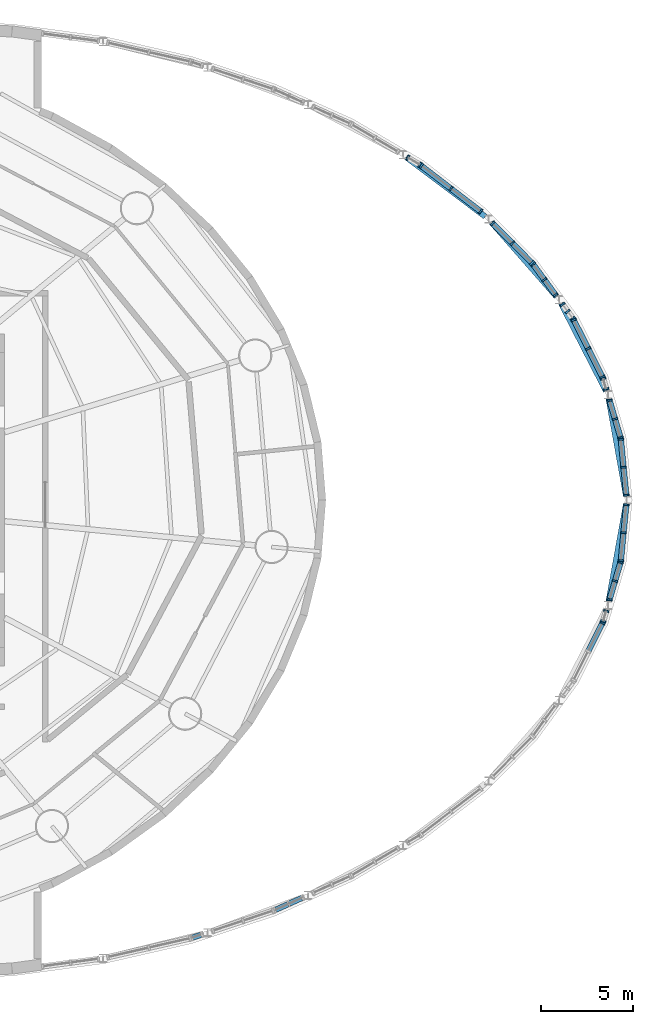
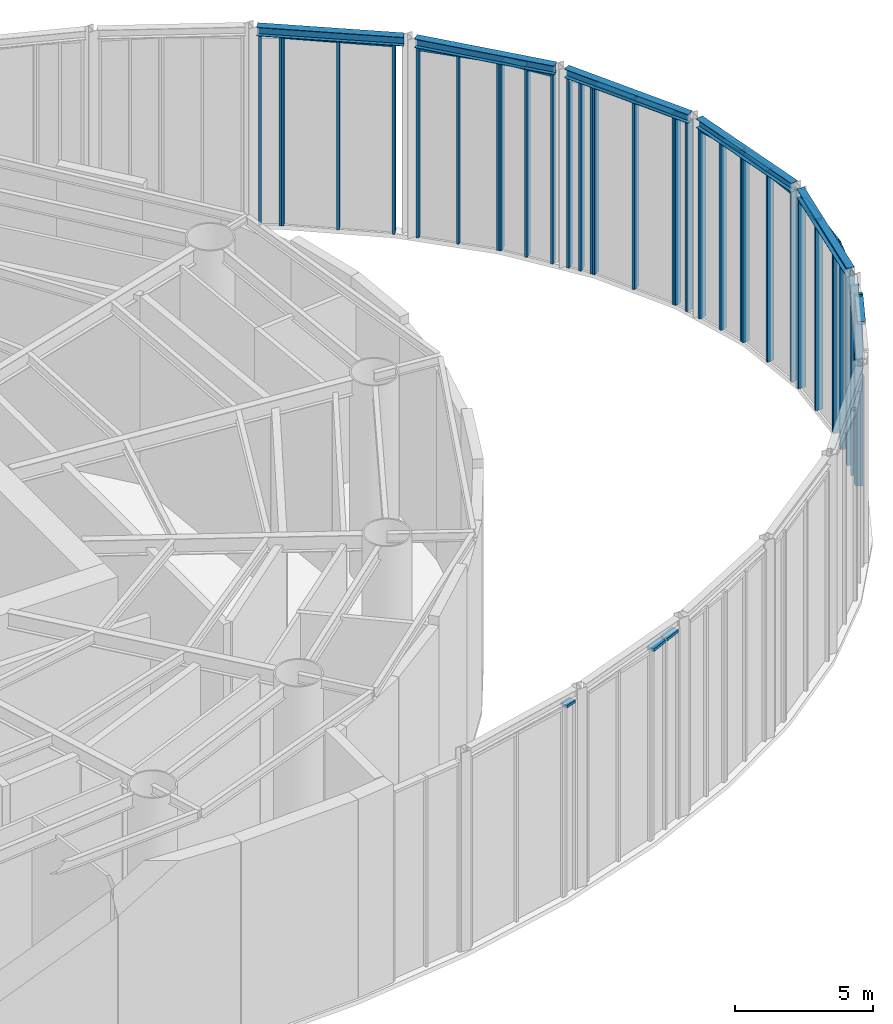
# One storey, part 8 of 19: 54 members, 5 beams, 15 elements without a shape of their own.
"""IFC4 building model written with IfcOpenShell, lengths in metres."""

from ifc_helpers import new_model, si_unit, direction, frame, origin, origin_2d, place, context, subcontext, project, spatial, rectangle, i_section, extrude, material, material_profile, profile_set, type_object, element, aggregate, save


model = new_model("IFC4")

# Units and contexts
model_context = context("Model", 3, precision=1e-05, world=origin(), true_north=direction((0.0, 1.0)))
body_context = subcontext(model_context, "Body", "Model", "MODEL_VIEW")
ifc_project = project(units=[si_unit("LENGTHUNIT", "METRE"), si_unit("AREAUNIT", "SQUARE_METRE"), si_unit("VOLUMEUNIT", "CUBIC_METRE"), si_unit("PLANEANGLEUNIT", "RADIAN"), si_unit("MASSUNIT", "GRAM", prefix="KILO")], contexts=[model_context])

# Site, building, storey
site_placement = place(None, origin())
site = spatial("IfcSite", under=ifc_project, at=site_placement, CompositionType="ELEMENT")
building_placement = place(site_placement, origin())
building = spatial("IfcBuilding", under=site, at=building_placement, Name="Vermilion Reach Broadcast Tower", CompositionType="ELEMENT")
storey_placement = place(building_placement, frame((0.0, 0.0, 8.0)))
storey = spatial("IfcBuildingStorey", under=building, at=storey_placement, Name="L01", CompositionType="ELEMENT", Elevation=8.0)

# Curtain wall, member
ifc_material_1 = material(Name="Low-e laminated clear glass in aluminium frame", Category="aluminium")
curtain_wall_type = type_object("IfcCurtainWallType", Name="Atrium outer wall curtain wall", PredefinedType="NOTDEFINED", material=ifc_material_1)
placement = place(storey_placement, origin())
curtain_wall_1 = element("IfcCurtainWall", 1, at=placement, inside=storey, type_object=curtain_wall_type, Name="Atrium wall L01 09", PredefinedType="NOTDEFINED")
ifc_material_2 = material(Name="Anodised aluminium", Category="aluminium")
ifc_material_profile_1 = material_profile(ifc_material_2, rectangle(XDim=0.300048828125, YDim=0.10009765625, at=origin_2d()), Name="Atrium outer wall mullion 100 x 300")
ifc_profile_set_1 = profile_set([ifc_material_profile_1], Name="Anodised aluminium")
member_type_1 = type_object("IfcMemberType", Name="Atrium outer wall mullion 100 x 300", PredefinedType="MULLION", material=ifc_profile_set_1)
member_1_placement = place(storey_placement, frame((38.384033203125, -6.6630859375, 0.0), z_axis=(0.0, 0.0, 1.0), x_axis=(-0.892992378986, 0.450071784356, 0.0)))
member_1 = element("IfcMember", 2, at=member_1_placement, type_object=member_type_1, Name="Atrium wall mullion L01 09.3", PredefinedType="MULLION", context=body_context, shape_type="SweptSolid", body=[
    extrude(rectangle(XDim=0.300048828125, YDim=0.10009765625, at=origin_2d()), origin(), (0.0, 0.0, 1.0), 8.409912109375),
])

# Curtain wall, members
curtain_wall_2 = element("IfcCurtainWall", 3, at=placement, inside=storey, type_object=curtain_wall_type, Name="Atrium wall L01 10-1", PredefinedType="NOTDEFINED")
member_2_placement = place(storey_placement, frame((38.420654296875, -6.570556640625, 0.0), z_axis=(0.0, 0.0, 1.0), x_axis=(-0.959047559317, 0.283245086397, 0.0)))
member_2 = element("IfcMember", 4, at=member_2_placement, type_object=member_type_1, Name="Atrium wall mullion L01 10-1.1", PredefinedType="MULLION", context=body_context, shape_type="SweptSolid", body=[
    extrude(rectangle(XDim=0.300048828125, YDim=0.10009765625, at=origin_2d()), origin(), (0.0, 0.0, 1.0), 8.409912109375),
])
member_3_placement = place(storey_placement, frame((38.58544921875, -6.01220703125, 0.0), z_axis=(0.0, 0.0, 1.0), x_axis=(-0.959047559317, 0.283245086397, 0.0)))
member_3 = element("IfcMember", 5, at=member_3_placement, type_object=member_type_1, Name="Atrium wall mullion L01 10-1.2", PredefinedType="MULLION", context=body_context, shape_type="SweptSolid", body=[
    extrude(rectangle(XDim=0.300048828125, YDim=0.10009765625, at=origin_2d()), origin(), (0.0, 0.0, 1.0), 8.409912109375),
])
aggregate(curtain_wall_2, [member_2, member_3])

curtain_wall_3 = element("IfcCurtainWall", 6, at=placement, inside=storey, type_object=curtain_wall_type, Name="Atrium wall L01 10-2", PredefinedType="NOTDEFINED")
member_4_placement = place(storey_placement, frame((38.76904296875, -5.390869140625, 0.0), z_axis=(0.0, 0.0, 1.0), x_axis=(-0.959047559317, 0.283245086397, 0.0)))
member_4 = element("IfcMember", 7, at=member_4_placement, type_object=member_type_1, Name="Atrium wall mullion L01 10-2.1", PredefinedType="MULLION", context=body_context, shape_type="SweptSolid", body=[
    extrude(rectangle(XDim=0.300048828125, YDim=0.10009765625, at=origin_2d()), origin(), (0.0, 0.0, 1.0), 8.409912109375),
])
member_5_placement = place(storey_placement, frame((39.0654296875, -4.387451171875, 0.0), z_axis=(0.0, 0.0, 1.0), x_axis=(-0.959047559317, 0.283245086397, 0.0)))
member_5 = element("IfcMember", 8, at=member_5_placement, type_object=member_type_1, Name="Atrium wall mullion L01 10-2.2", PredefinedType="MULLION", context=body_context, shape_type="SweptSolid", body=[
    extrude(rectangle(XDim=0.300048828125, YDim=0.10009765625, at=origin_2d()), origin(), (0.0, 0.0, 1.0), 8.409912109375),
])
member_6_placement = place(storey_placement, frame((39.361572265625, -3.384033203125, 0.0), z_axis=(0.0, 0.0, 1.0), x_axis=(-0.959047559317, 0.283245086397, 0.0)))
member_6 = element("IfcMember", 9, at=member_6_placement, type_object=member_type_1, Name="Atrium wall mullion L01 10-2.3", PredefinedType="MULLION", context=body_context, shape_type="SweptSolid", body=[
    extrude(rectangle(XDim=0.300048828125, YDim=0.10009765625, at=origin_2d()), origin(), (0.0, 0.0, 1.0), 8.409912109375),
])

curtain_wall_4 = element("IfcCurtainWall", 10, at=placement, inside=storey, type_object=curtain_wall_type, Name="Atrium wall L01 11", PredefinedType="NOTDEFINED")
member_7_placement = place(storey_placement, frame((39.380615234375, -3.286376953125, 0.0), z_axis=(0.0, 0.0, 1.0), x_axis=(-0.995297951094, 0.096860665643, 0.0)))
member_7 = element("IfcMember", 11, at=member_7_placement, type_object=member_type_1, Name="Atrium wall mullion L01 11.1", PredefinedType="MULLION", context=body_context, shape_type="SweptSolid", body=[
    extrude(rectangle(XDim=0.300048828125, YDim=0.10009765625, at=origin_2d()), origin(), (0.0, 0.0, 1.0), 8.409912109375),
])
member_8_placement = place(storey_placement, frame((39.52783203125, -1.774658203125, 0.0), z_axis=(0.0, 0.0, 1.0), x_axis=(-0.995297951094, 0.096860665643, 0.0)))
member_8 = element("IfcMember", 12, at=member_8_placement, type_object=member_type_1, Name="Atrium wall mullion L01 11.2", PredefinedType="MULLION", context=body_context, shape_type="SweptSolid", body=[
    extrude(rectangle(XDim=0.300048828125, YDim=0.10009765625, at=origin_2d()), origin(), (0.0, 0.0, 1.0), 8.409912109375),
])
member_9_placement = place(storey_placement, frame((39.6748046875, -0.2626953125, 0.0), z_axis=(0.0, 0.0, 1.0), x_axis=(-0.995297951094, 0.096860665643, 0.0)))
member_9 = element("IfcMember", 13, at=member_9_placement, type_object=member_type_1, Name="Atrium wall mullion L01 11.3", PredefinedType="MULLION", context=body_context, shape_type="SweptSolid", body=[
    extrude(rectangle(XDim=0.300048828125, YDim=0.10009765625, at=origin_2d()), origin(), (0.0, 0.0, 1.0), 8.409912109375),
])

curtain_wall_5 = element("IfcCurtainWall", 14, at=placement, inside=storey, type_object=curtain_wall_type, Name="Atrium wall L01 12", PredefinedType="NOTDEFINED")
member_10_placement = place(storey_placement, frame((39.6748046875, 0.2626953125, 0.0), z_axis=(0.0, 0.0, 1.0), x_axis=(-0.995297951094, -0.096860665643, 0.0)))
member_10 = element("IfcMember", 15, at=member_10_placement, type_object=member_type_1, Name="Atrium wall mullion L01 12.1", PredefinedType="MULLION", context=body_context, shape_type="SweptSolid", body=[
    extrude(rectangle(XDim=0.300048828125, YDim=0.10009765625, at=origin_2d()), origin(), (0.0, 0.0, 1.0), 8.409912109375),
])
member_11_placement = place(storey_placement, frame((39.52783203125, 1.774658203125, 0.0), z_axis=(0.0, 0.0, 1.0), x_axis=(-0.995297951094, -0.096860665643, 0.0)))
member_11 = element("IfcMember", 16, at=member_11_placement, type_object=member_type_1, Name="Atrium wall mullion L01 12.2", PredefinedType="MULLION", context=body_context, shape_type="SweptSolid", body=[
    extrude(rectangle(XDim=0.300048828125, YDim=0.10009765625, at=origin_2d()), origin(), (0.0, 0.0, 1.0), 8.409912109375),
])
member_12_placement = place(storey_placement, frame((39.380615234375, 3.286376953125, 0.0), z_axis=(0.0, 0.0, 1.0), x_axis=(-0.995297951094, -0.096860665643, 0.0)))
member_12 = element("IfcMember", 17, at=member_12_placement, type_object=member_type_1, Name="Atrium wall mullion L01 12.3", PredefinedType="MULLION", context=body_context, shape_type="SweptSolid", body=[
    extrude(rectangle(XDim=0.300048828125, YDim=0.10009765625, at=origin_2d()), origin(), (0.0, 0.0, 1.0), 8.409912109375),
])

curtain_wall_6 = element("IfcCurtainWall", 18, at=placement, inside=storey, type_object=curtain_wall_type, Name="Atrium wall L01 13-1", PredefinedType="NOTDEFINED")
member_13_placement = place(storey_placement, frame((39.361572265625, 3.384033203125, 0.0), z_axis=(0.0, 0.0, 1.0), x_axis=(-0.959047559317, -0.283245086397, 0.0)))
member_13 = element("IfcMember", 19, at=member_13_placement, type_object=member_type_1, Name="Atrium wall mullion L01 13-1.1", PredefinedType="MULLION", context=body_context, shape_type="SweptSolid", body=[
    extrude(rectangle(XDim=0.300048828125, YDim=0.10009765625, at=origin_2d()), origin(), (0.0, 0.0, 1.0), 8.409912109375),
])
member_14_placement = place(storey_placement, frame((39.0654296875, 4.387451171875, 0.0), z_axis=(0.0, 0.0, 1.0), x_axis=(-0.959047559317, -0.283245086397, 0.0)))
member_14 = element("IfcMember", 20, at=member_14_placement, type_object=member_type_1, Name="Atrium wall mullion L01 13-1.2", PredefinedType="MULLION", context=body_context, shape_type="SweptSolid", body=[
    extrude(rectangle(XDim=0.300048828125, YDim=0.10009765625, at=origin_2d()), origin(), (0.0, 0.0, 1.0), 8.409912109375),
])
member_15_placement = place(storey_placement, frame((38.76904296875, 5.390869140625, 0.0), z_axis=(0.0, 0.0, 1.0), x_axis=(-0.959047559317, -0.283245086397, 0.0)))
member_15 = element("IfcMember", 21, at=member_15_placement, type_object=member_type_1, Name="Atrium wall mullion L01 13-1.3", PredefinedType="MULLION", context=body_context, shape_type="SweptSolid", body=[
    extrude(rectangle(XDim=0.300048828125, YDim=0.10009765625, at=origin_2d()), origin(), (0.0, 0.0, 1.0), 8.409912109375),
])

curtain_wall_7 = element("IfcCurtainWall", 22, at=placement, inside=storey, type_object=curtain_wall_type, Name="Atrium wall L01 13-2", PredefinedType="NOTDEFINED")
member_16_placement = place(storey_placement, frame((38.58544921875, 6.01220703125, 0.0), z_axis=(0.0, 0.0, 1.0), x_axis=(-0.959047559317, -0.283245086397, 0.0)))
member_16 = element("IfcMember", 23, at=member_16_placement, type_object=member_type_1, Name="Atrium wall mullion L01 13-2.1", PredefinedType="MULLION", context=body_context, shape_type="SweptSolid", body=[
    extrude(rectangle(XDim=0.300048828125, YDim=0.10009765625, at=origin_2d()), origin(), (0.0, 0.0, 1.0), 8.409912109375),
])
member_17_placement = place(storey_placement, frame((38.420654296875, 6.570556640625, 0.0), z_axis=(0.0, 0.0, 1.0), x_axis=(-0.959047559317, -0.283245086397, 0.0)))
member_17 = element("IfcMember", 24, at=member_17_placement, type_object=member_type_1, Name="Atrium wall mullion L01 13-2.2", PredefinedType="MULLION", context=body_context, shape_type="SweptSolid", body=[
    extrude(rectangle(XDim=0.300048828125, YDim=0.10009765625, at=origin_2d()), origin(), (0.0, 0.0, 1.0), 8.409912109375),
])
aggregate(curtain_wall_7, [member_16, member_17])

curtain_wall_8 = element("IfcCurtainWall", 25, at=placement, inside=storey, type_object=curtain_wall_type, Name="Atrium wall L01 14", PredefinedType="NOTDEFINED")
member_18_placement = place(storey_placement, frame((38.384033203125, 6.6630859375, 0.0), z_axis=(0.0, 0.0, 1.0), x_axis=(-0.892992378986, -0.450071784356, 0.0)))
member_18 = element("IfcMember", 26, at=member_18_placement, type_object=member_type_1, Name="Atrium wall mullion L01 14.1", PredefinedType="MULLION", context=body_context, shape_type="SweptSolid", body=[
    extrude(rectangle(XDim=0.300048828125, YDim=0.10009765625, at=origin_2d()), origin(), (0.0, 0.0, 1.0), 8.409912109375),
])
member_19_placement = place(storey_placement, frame((37.6064453125, 8.20556640625, 0.0), z_axis=(0.0, 0.0, 1.0), x_axis=(-0.892992378986, -0.450071784356, 0.0)))
member_19 = element("IfcMember", 27, at=member_19_placement, type_object=member_type_1, Name="Atrium wall mullion L01 14.2", PredefinedType="MULLION", context=body_context, shape_type="SweptSolid", body=[
    extrude(rectangle(XDim=0.300048828125, YDim=0.10009765625, at=origin_2d()), origin(), (0.0, 0.0, 1.0), 8.409912109375),
])
member_20_placement = place(storey_placement, frame((36.8291015625, 9.748046875, 0.0), z_axis=(0.0, 0.0, 1.0), x_axis=(-0.892992378986, -0.450071784356, 0.0)))
member_20 = element("IfcMember", 28, at=member_20_placement, type_object=member_type_1, Name="Atrium wall mullion L01 14.3", PredefinedType="MULLION", context=body_context, shape_type="SweptSolid", body=[
    extrude(rectangle(XDim=0.300048828125, YDim=0.10009765625, at=origin_2d()), origin(), (0.0, 0.0, 1.0), 8.409912109375),
])

curtain_wall_9 = element("IfcCurtainWall", 29, at=placement, inside=storey, type_object=curtain_wall_type, Name="Atrium wall L01 15-1", PredefinedType="NOTDEFINED")
member_21_placement = place(storey_placement, frame((36.777099609375, 9.8330078125, 0.0), z_axis=(0.0, 0.0, 1.0), x_axis=(-0.806847463604, -0.590759824697, 0.0)))
member_21 = element("IfcMember", 30, at=member_21_placement, type_object=member_type_1, Name="Atrium wall mullion L01 15-1.1", PredefinedType="MULLION", context=body_context, shape_type="SweptSolid", body=[
    extrude(rectangle(XDim=0.300048828125, YDim=0.10009765625, at=origin_2d()), origin(), (0.0, 0.0, 1.0), 8.409912109375),
])
member_22_placement = place(storey_placement, frame((36.501220703125, 10.209716796875, 0.0), z_axis=(0.0, 0.0, 1.0), x_axis=(-0.806847463604, -0.590759824697, 0.0)))
member_22 = element("IfcMember", 31, at=member_22_placement, type_object=member_type_1, Name="Atrium wall mullion L01 15-1.2", PredefinedType="MULLION", context=body_context, shape_type="SweptSolid", body=[
    extrude(rectangle(XDim=0.300048828125, YDim=0.10009765625, at=origin_2d()), origin(), (0.0, 0.0, 1.0), 8.409912109375),
])
member_23_placement = place(storey_placement, frame((36.2255859375, 10.586181640625, 0.0), z_axis=(0.0, 0.0, 1.0), x_axis=(-0.806847463604, -0.590759824697, 0.0)))
member_23 = element("IfcMember", 32, at=member_23_placement, type_object=member_type_1, Name="Atrium wall mullion L01 15-1.3", PredefinedType="MULLION", context=body_context, shape_type="SweptSolid", body=[
    extrude(rectangle(XDim=0.300048828125, YDim=0.10009765625, at=origin_2d()), origin(), (0.0, 0.0, 1.0), 8.409912109375),
])
aggregate(curtain_wall_9, [member_21, member_22, member_23])

curtain_wall_10 = element("IfcCurtainWall", 33, at=placement, inside=storey, type_object=curtain_wall_type, Name="Atrium wall L01 15-2", PredefinedType="NOTDEFINED")
member_24_placement = place(storey_placement, frame((35.8427734375, 11.109130859375, 0.0), z_axis=(0.0, 0.0, 1.0), x_axis=(-0.806847463604, -0.590759824697, 0.0)))
member_24 = element("IfcMember", 34, at=member_24_placement, type_object=member_type_1, Name="Atrium wall mullion L01 15-2.1", PredefinedType="MULLION", context=body_context, shape_type="SweptSolid", body=[
    extrude(rectangle(XDim=0.300048828125, YDim=0.10009765625, at=origin_2d()), origin(), (0.0, 0.0, 1.0), 8.409912109375),
])
member_25_placement = place(storey_placement, frame((35.236572265625, 11.936767578125, 0.0), z_axis=(0.0, 0.0, 1.0), x_axis=(-0.806847463604, -0.590759824697, 0.0)))
member_25 = element("IfcMember", 35, at=member_25_placement, type_object=member_type_1, Name="Atrium wall mullion L01 15-2.2", PredefinedType="MULLION", context=body_context, shape_type="SweptSolid", body=[
    extrude(rectangle(XDim=0.300048828125, YDim=0.10009765625, at=origin_2d()), origin(), (0.0, 0.0, 1.0), 8.409912109375),
])
member_26_placement = place(storey_placement, frame((34.630615234375, 12.764404296875, 0.0), z_axis=(0.0, 0.0, 1.0), x_axis=(-0.806847463604, -0.590759824697, 0.0)))
member_26 = element("IfcMember", 36, at=member_26_placement, type_object=member_type_1, Name="Atrium wall mullion L01 15-2.3", PredefinedType="MULLION", context=body_context, shape_type="SweptSolid", body=[
    extrude(rectangle(XDim=0.300048828125, YDim=0.10009765625, at=origin_2d()), origin(), (0.0, 0.0, 1.0), 8.409912109375),
])

curtain_wall_11 = element("IfcCurtainWall", 37, at=placement, inside=storey, type_object=curtain_wall_type, Name="Atrium wall L01 16", PredefinedType="NOTDEFINED")
member_27_placement = place(storey_placement, frame((34.56591796875, 12.84033203125, 0.0), z_axis=(0.0, 0.0, 1.0), x_axis=(-0.709925939614, -0.704276337997, 0.0)))
member_27 = element("IfcMember", 38, at=member_27_placement, type_object=member_type_1, Name="Atrium wall mullion L01 16.1", PredefinedType="MULLION", context=body_context, shape_type="SweptSolid", body=[
    extrude(rectangle(XDim=0.300048828125, YDim=0.10009765625, at=origin_2d()), origin(), (0.0, 0.0, 1.0), 8.409912109375),
])
member_28_placement = place(storey_placement, frame((33.5029296875, 13.911865234375, 0.0), z_axis=(0.0, 0.0, 1.0), x_axis=(-0.709925939614, -0.704276337997, 0.0)))
member_28 = element("IfcMember", 39, at=member_28_placement, type_object=member_type_1, Name="Atrium wall mullion L01 16.2", PredefinedType="MULLION", context=body_context, shape_type="SweptSolid", body=[
    extrude(rectangle(XDim=0.300048828125, YDim=0.10009765625, at=origin_2d()), origin(), (0.0, 0.0, 1.0), 8.409912109375),
])
member_29_placement = place(storey_placement, frame((32.43994140625, 14.983154296875, 0.0), z_axis=(0.0, 0.0, 1.0), x_axis=(-0.709925939614, -0.704276337997, 0.0)))
member_29 = element("IfcMember", 40, at=member_29_placement, type_object=member_type_1, Name="Atrium wall mullion L01 16.3", PredefinedType="MULLION", context=body_context, shape_type="SweptSolid", body=[
    extrude(rectangle(XDim=0.300048828125, YDim=0.10009765625, at=origin_2d()), origin(), (0.0, 0.0, 1.0), 8.409912109375),
])

curtain_wall_12 = element("IfcCurtainWall", 41, at=placement, inside=storey, type_object=curtain_wall_type, Name="Atrium wall L01 17", PredefinedType="NOTDEFINED")
member_30_placement = place(storey_placement, frame((31.7861328125, 15.6328125, 0.0), z_axis=(0.0, 0.0, 1.0), x_axis=(-0.609113924113, -0.793082736826, 0.0)))
member_30 = element("IfcMember", 42, at=member_30_placement, type_object=member_type_1, Name="Atrium wall mullion L01 17.1", PredefinedType="MULLION", context=body_context, shape_type="SweptSolid", body=[
    extrude(rectangle(XDim=0.300048828125, YDim=0.10009765625, at=origin_2d()), origin(), (0.0, 0.0, 1.0), 8.409912109375),
])
member_31_placement = place(storey_placement, frame((30.17626953125, 16.869140625, 0.0), z_axis=(0.0, 0.0, 1.0), x_axis=(-0.609113924113, -0.793082736826, 0.0)))
member_31 = element("IfcMember", 43, at=member_31_placement, type_object=member_type_1, Name="Atrium wall mullion L01 17.2", PredefinedType="MULLION", context=body_context, shape_type="SweptSolid", body=[
    extrude(rectangle(XDim=0.300048828125, YDim=0.10009765625, at=origin_2d()), origin(), (0.0, 0.0, 1.0), 8.409912109375),
])
member_32_placement = place(storey_placement, frame((28.566650390625, 18.10546875, 0.0), z_axis=(0.0, 0.0, 1.0), x_axis=(-0.609113924113, -0.793082736826, 0.0)))
member_32 = element("IfcMember", 44, at=member_32_placement, type_object=member_type_1, Name="Atrium wall mullion L01 17.3", PredefinedType="MULLION", context=body_context, shape_type="SweptSolid", body=[
    extrude(rectangle(XDim=0.300048828125, YDim=0.10009765625, at=origin_2d()), origin(), (0.0, 0.0, 1.0), 8.409912109375),
])

curtain_wall_13 = element("IfcCurtainWall", 45, at=placement, inside=storey, type_object=curtain_wall_type, Name="Atrium wall L01 18-1", PredefinedType="NOTDEFINED")
member_33_placement = place(storey_placement, frame((28.48388671875, 18.161376953125, 0.0), z_axis=(0.0, 0.0, 1.0), x_axis=(-0.508589622127, -0.861009057017, 0.0)))
member_33 = element("IfcMember", 46, at=member_33_placement, type_object=member_type_1, Name="Atrium wall mullion L01 18-1.1", PredefinedType="MULLION", context=body_context, shape_type="SweptSolid", body=[
    extrude(rectangle(XDim=0.300048828125, YDim=0.10009765625, at=origin_2d()), origin(), (0.0, 0.0, 1.0), 8.409912109375),
])
member_34_placement = place(storey_placement, frame((27.849609375, 18.5361328125, 0.0), z_axis=(0.0, 0.0, 1.0), x_axis=(-0.508589622127, -0.861009057017, 0.0)))
member_34 = element("IfcMember", 47, at=member_34_placement, type_object=member_type_1, Name="Atrium wall mullion L01 18-1.2", PredefinedType="MULLION", context=body_context, shape_type="SweptSolid", body=[
    extrude(rectangle(XDim=0.300048828125, YDim=0.10009765625, at=origin_2d()), origin(), (0.0, 0.0, 1.0), 8.409912109375),
])
aggregate(curtain_wall_13, [member_33, member_34])

# Curtain wall, member
curtain_wall_14 = element("IfcCurtainWall", 48, at=placement, inside=storey, type_object=curtain_wall_type, Name="Atrium wall L01 03-1", PredefinedType="NOTDEFINED")
ifc_material_3 = material(Name="Anodised aluminium", Category="aluminium")
ifc_material_profile_2 = material_profile(ifc_material_3, rectangle(XDim=0.300048828125, YDim=0.1201171875, at=origin_2d()), Name="Atrium outer wall transom 300 x 120")
ifc_profile_set_2 = profile_set([ifc_material_profile_2], Name="Anodised aluminium")
member_type_2 = type_object("IfcMemberType", Name="Atrium outer wall transom 300 x 120", PredefinedType="USERDEFINED", material=ifc_profile_set_2)
member_35_placement = place(storey_placement, frame((16.18603515625, -23.700439453125, 8.35009765625), z_axis=(0.948944103966, 0.315444270113, 0.0), x_axis=(-0.315444270113, 0.948944103966, 0.0)))
member_35 = element("IfcMember", 49, at=member_35_placement, type_object=member_type_2, Name="Atrium wall transom L01 03-1.1.2", ObjectType="TRANSOM", PredefinedType="USERDEFINED", context=body_context, shape_type="SweptSolid", body=[
    extrude(rectangle(XDim=0.300048828125, YDim=0.1201171875, at=origin_2d()), origin(), (0.0, 0.0, 1.0), 0.467529296875),
])
aggregate(curtain_wall_14, [member_35])

# Curtain wall, members
curtain_wall_15 = element("IfcCurtainWall", 50, at=placement, inside=storey, type_object=curtain_wall_type, Name="Atrium wall L01 04-1", PredefinedType="NOTDEFINED")
member_36_placement = place(storey_placement, frame((20.6826171875, -22.196044921875, 8.35009765625), z_axis=(0.911946820137, 0.41030841722, 0.0), x_axis=(-0.41030841722, 0.911946820137, 0.0)))
member_36 = element("IfcMember", 51, at=member_36_placement, type_object=member_type_2, Name="Atrium wall transom L01 04-1.1.2", ObjectType="TRANSOM", PredefinedType="USERDEFINED", context=body_context, shape_type="SweptSolid", body=[
    extrude(rectangle(XDim=0.300048828125, YDim=0.1201171875, at=origin_2d()), origin(), (0.0, 0.0, 1.0), 0.7216796875),
])
member_37_placement = place(storey_placement, frame((21.431884765625, -21.85888671875, 8.35009765625), z_axis=(0.911877215452, 0.410463084746, 0.0), x_axis=(-0.410463084746, 0.911877215452, 0.0)))
member_37 = element("IfcMember", 52, at=member_37_placement, type_object=member_type_2, Name="Atrium wall transom L01 04-1.2.2", ObjectType="TRANSOM", PredefinedType="USERDEFINED", context=body_context, shape_type="SweptSolid", body=[
    extrude(rectangle(XDim=0.300048828125, YDim=0.1201171875, at=origin_2d()), origin(), (0.0, 0.0, 1.0), 0.72216796875),
])
aggregate(curtain_wall_15, [member_36, member_37])

# Member
member_38_placement = place(storey_placement, frame((37.62890625, -8.160888671875, 8.35009765625), z_axis=(0.450091864122, 0.892982258419, 0.0), x_axis=(-0.892982258419, 0.450091864122, 0.0)))
member_38 = element("IfcMember", 53, at=member_38_placement, type_object=member_type_2, Name="Atrium wall transom L01 09.2.2", ObjectType="TRANSOM", PredefinedType="USERDEFINED", context=body_context, shape_type="SweptSolid", body=[
    extrude(rectangle(XDim=0.300048828125, YDim=0.1201171875, at=origin_2d()), origin(), (0.0, 0.0, 1.0), 1.627197265625),
])

aggregate(curtain_wall_1, [member_1, member_38])

member_39_placement = place(storey_placement, frame((38.783203125, -5.3427734375, 8.35009765625), z_axis=(0.283297602457, 0.959032047662, 0.0), x_axis=(-0.959032047662, 0.283297602457, 0.0)))
member_39 = element("IfcMember", 54, at=member_39_placement, type_object=member_type_2, Name="Atrium wall transom L01 10-2.1.2", ObjectType="TRANSOM", PredefinedType="USERDEFINED", context=body_context, shape_type="SweptSolid", body=[
    extrude(rectangle(XDim=0.300048828125, YDim=0.1201171875, at=origin_2d()), origin(), (0.0, 0.0, 1.0), 0.9462890625),
])

member_40_placement = place(storey_placement, frame((39.07958984375, -4.339599609375, 8.35009765625), z_axis=(0.283060271492, 0.959102123187, 0.0), x_axis=(-0.959102123187, 0.283060271492, 0.0)))
member_40 = element("IfcMember", 55, at=member_40_placement, type_object=member_type_2, Name="Atrium wall transom L01 10-2.2.2", ObjectType="TRANSOM", PredefinedType="USERDEFINED", context=body_context, shape_type="SweptSolid", body=[
    extrude(rectangle(XDim=0.300048828125, YDim=0.1201171875, at=origin_2d()), origin(), (0.0, 0.0, 1.0), 0.946044921875),
])

aggregate(curtain_wall_3, [member_4, member_5, member_6, member_39, member_40])

member_41_placement = place(storey_placement, frame((39.385498046875, -3.236572265625, 8.35009765625), z_axis=(0.096863028009, 0.995297721189, 0.0), x_axis=(-0.995297721189, 0.096863028009, 0.0)))
member_41 = element("IfcMember", 56, at=member_41_placement, type_object=member_type_2, Name="Atrium wall transom L01 11.1.2", ObjectType="TRANSOM", PredefinedType="USERDEFINED", context=body_context, shape_type="SweptSolid", body=[
    extrude(rectangle(XDim=0.300048828125, YDim=0.1201171875, at=origin_2d()), origin(), (0.0, 0.0, 1.0), 1.4189453125),
])

member_42_placement = place(storey_placement, frame((39.53271484375, -1.724853515625, 8.35009765625), z_axis=(0.096863028009, 0.995297721189, 0.0), x_axis=(-0.995297721189, 0.096863028009, 0.0)))
member_42 = element("IfcMember", 57, at=member_42_placement, type_object=member_type_2, Name="Atrium wall transom L01 11.2.2", ObjectType="TRANSOM", PredefinedType="USERDEFINED", context=body_context, shape_type="SweptSolid", body=[
    extrude(rectangle(XDim=0.300048828125, YDim=0.1201171875, at=origin_2d()), origin(), (0.0, 0.0, 1.0), 1.4189453125),
])

aggregate(curtain_wall_4, [member_7, member_8, member_9, member_41, member_42])

member_43_placement = place(storey_placement, frame((39.670166015625, 0.3125, 8.35009765625), z_axis=(-0.096863028009, 0.995297721189, 0.0), x_axis=(-0.995297721189, -0.096863028009, 0.0)))
member_43 = element("IfcMember", 58, at=member_43_placement, type_object=member_type_2, Name="Atrium wall transom L01 12.1.2", ObjectType="TRANSOM", PredefinedType="USERDEFINED", context=body_context, shape_type="SweptSolid", body=[
    extrude(rectangle(XDim=0.300048828125, YDim=0.1201171875, at=origin_2d()), origin(), (0.0, 0.0, 1.0), 1.4189453125),
])

member_44_placement = place(storey_placement, frame((39.52294921875, 1.82421875, 8.35009765625), z_axis=(-0.096863028009, 0.995297721189, 0.0), x_axis=(-0.995297721189, -0.096863028009, 0.0)))
member_44 = element("IfcMember", 59, at=member_44_placement, type_object=member_type_2, Name="Atrium wall transom L01 12.2.2", ObjectType="TRANSOM", PredefinedType="USERDEFINED", context=body_context, shape_type="SweptSolid", body=[
    extrude(rectangle(XDim=0.300048828125, YDim=0.1201171875, at=origin_2d()), origin(), (0.0, 0.0, 1.0), 1.4189453125),
])

aggregate(curtain_wall_5, [member_10, member_11, member_12, member_43, member_44])

member_45_placement = place(storey_placement, frame((39.347412109375, 3.43212890625, 8.35009765625), z_axis=(-0.283060271492, 0.959102123187, 0.0), x_axis=(-0.959102123187, -0.283060271492, 0.0)))
member_45 = element("IfcMember", 60, at=member_45_placement, type_object=member_type_2, Name="Atrium wall transom L01 13-1.1.2", ObjectType="TRANSOM", PredefinedType="USERDEFINED", context=body_context, shape_type="SweptSolid", body=[
    extrude(rectangle(XDim=0.300048828125, YDim=0.1201171875, at=origin_2d()), origin(), (0.0, 0.0, 1.0), 0.946044921875),
])

member_46_placement = place(storey_placement, frame((39.05126953125, 4.435302734375, 8.35009765625), z_axis=(-0.283297602457, 0.959032047662, 0.0), x_axis=(-0.959032047662, -0.283297602457, 0.0)))
member_46 = element("IfcMember", 61, at=member_46_placement, type_object=member_type_2, Name="Atrium wall transom L01 13-1.2.2", ObjectType="TRANSOM", PredefinedType="USERDEFINED", context=body_context, shape_type="SweptSolid", body=[
    extrude(rectangle(XDim=0.300048828125, YDim=0.1201171875, at=origin_2d()), origin(), (0.0, 0.0, 1.0), 0.9462890625),
])

aggregate(curtain_wall_6, [member_13, member_14, member_15, member_45, member_46])

member_47_placement = place(storey_placement, frame((38.361328125, 6.707763671875, 8.35009765625), z_axis=(-0.450091864122, 0.892982258419, 0.0), x_axis=(-0.892982258419, -0.450091864122, 0.0)))
member_47 = element("IfcMember", 62, at=member_47_placement, type_object=member_type_2, Name="Atrium wall transom L01 14.1.2", ObjectType="TRANSOM", PredefinedType="USERDEFINED", context=body_context, shape_type="SweptSolid", body=[
    extrude(rectangle(XDim=0.300048828125, YDim=0.1201171875, at=origin_2d()), origin(), (0.0, 0.0, 1.0), 1.627197265625),
])

member_48_placement = place(storey_placement, frame((37.583984375, 8.250244140625, 8.35009765625), z_axis=(-0.450091864122, 0.892982258419, 0.0), x_axis=(-0.892982258419, -0.450091864122, 0.0)))
member_48 = element("IfcMember", 63, at=member_48_placement, type_object=member_type_2, Name="Atrium wall transom L01 14.2.2", ObjectType="TRANSOM", PredefinedType="USERDEFINED", context=body_context, shape_type="SweptSolid", body=[
    extrude(rectangle(XDim=0.300048828125, YDim=0.1201171875, at=origin_2d()), origin(), (0.0, 0.0, 1.0), 1.627197265625),
])

aggregate(curtain_wall_8, [member_18, member_19, member_20, member_47, member_48])

member_49_placement = place(storey_placement, frame((35.813232421875, 11.1494140625, 8.35009765625), z_axis=(-0.590849188932, 0.806782025047, 0.0), x_axis=(-0.806782025047, -0.590849188932, 0.0)))
member_49 = element("IfcMember", 64, at=member_49_placement, type_object=member_type_2, Name="Atrium wall transom L01 15-2.1.2", ObjectType="TRANSOM", PredefinedType="USERDEFINED", context=body_context, shape_type="SweptSolid", body=[
    extrude(rectangle(XDim=0.300048828125, YDim=0.1201171875, at=origin_2d()), origin(), (0.0, 0.0, 1.0), 0.926025390625),
])

member_50_placement = place(storey_placement, frame((35.20703125, 11.97705078125, 8.35009765625), z_axis=(-0.590677537, 0.806907706794, 0.0), x_axis=(-0.806907706794, -0.590677537, 0.0)))
member_50 = element("IfcMember", 65, at=member_50_placement, type_object=member_type_2, Name="Atrium wall transom L01 15-2.2.2", ObjectType="TRANSOM", PredefinedType="USERDEFINED", context=body_context, shape_type="SweptSolid", body=[
    extrude(rectangle(XDim=0.300048828125, YDim=0.1201171875, at=origin_2d()), origin(), (0.0, 0.0, 1.0), 0.92578125),
])

aggregate(curtain_wall_10, [member_24, member_25, member_26, member_49, member_50])

member_51_placement = place(storey_placement, frame((34.53076171875, 12.875732421875, 8.35009765625), z_axis=(-0.704329761537, 0.709872937231, 0.0), x_axis=(-0.709872937231, -0.704329761537, 0.0)))
member_51 = element("IfcMember", 66, at=member_51_placement, type_object=member_type_2, Name="Atrium wall transom L01 16.1.2", ObjectType="TRANSOM", PredefinedType="USERDEFINED", context=body_context, shape_type="SweptSolid", body=[
    extrude(rectangle(XDim=0.300048828125, YDim=0.1201171875, at=origin_2d()), origin(), (0.0, 0.0, 1.0), 1.409423828125),
])

member_52_placement = place(storey_placement, frame((33.4677734375, 13.947265625, 8.35009765625), z_axis=(-0.704242454473, 0.709959551889, 0.0), x_axis=(-0.709959551889, -0.704242454473, 0.0)))
member_52 = element("IfcMember", 67, at=member_52_placement, type_object=member_type_2, Name="Atrium wall transom L01 16.2.2", ObjectType="TRANSOM", PredefinedType="USERDEFINED", context=body_context, shape_type="SweptSolid", body=[
    extrude(rectangle(XDim=0.300048828125, YDim=0.1201171875, at=origin_2d()), origin(), (0.0, 0.0, 1.0), 1.4091796875),
])

aggregate(curtain_wall_11, [member_27, member_28, member_29, member_51, member_52])

member_53_placement = place(storey_placement, frame((31.74658203125, 15.663330078125, 8.35009765625), z_axis=(-0.79307054721, 0.609129794993, 0.0), x_axis=(-0.609129794993, -0.79307054721, 0.0)))
member_53 = element("IfcMember", 68, at=member_53_placement, type_object=member_type_2, Name="Atrium wall transom L01 17.1.2", ObjectType="TRANSOM", PredefinedType="USERDEFINED", context=body_context, shape_type="SweptSolid", body=[
    extrude(rectangle(XDim=0.300048828125, YDim=0.1201171875, at=origin_2d()), origin(), (0.0, 0.0, 1.0), 1.929931640625),
])

member_54_placement = place(storey_placement, frame((30.13671875, 16.899658203125, 8.35009765625), z_axis=(-0.79307054721, 0.609129794993, 0.0), x_axis=(-0.609129794993, -0.79307054721, 0.0)))
member_54 = element("IfcMember", 69, at=member_54_placement, type_object=member_type_2, Name="Atrium wall transom L01 17.2.2", ObjectType="TRANSOM", PredefinedType="USERDEFINED", context=body_context, shape_type="SweptSolid", body=[
    extrude(rectangle(XDim=0.300048828125, YDim=0.1201171875, at=origin_2d()), origin(), (0.0, 0.0, 1.0), 1.929931640625),
])

aggregate(curtain_wall_12, [member_30, member_31, member_32, member_53, member_54])

# Beams
ifc_material_4 = material(Name="Steel S355J2", Category="steel")
ifc_material_profile_3 = material_profile(ifc_material_4, i_section(OverallWidth=0.300048828125, OverallDepth=0.389892578125, WebThickness=0.010009765625, FlangeThickness=0.01611328125, at=origin_2d()), Name="S355J2 HM 390x300x10x16")
ifc_profile_set_3 = profile_set([ifc_material_profile_3], Name="Steel S355J2")
beam_type = type_object("IfcBeamType", Name="RM1 HM 390x300x10x16", PredefinedType="BEAM", material=ifc_profile_set_3)
for number, where, z_axis, x_axis, name in (
    (70, (38.715576171875, -5.48486328125, 8.60498046875), (0.176657264491, 0.984272427178, 0.0), (-0.984272427178, 0.176657264491, 0.0), "Rim beam AP07-AP08"),
    (71, (39.6611328125, 0.216552734375, 8.60498046875), (-0.176657264491, 0.984272427178, 0.0), (-0.984272427178, -0.176657264491, 0.0), "Rim beam AP08-AP09"),
):
    element("IfcBeam", number, at=place(storey_placement, frame(where, z_axis=z_axis, x_axis=x_axis)), inside=storey, type_object=beam_type, Name=name, PredefinedType="BEAM", context=body_context, shape_type="SweptSolid", body=[
        extrude(i_section(OverallWidth=0.300048828125, OverallDepth=0.389892578125, WebThickness=0.010009765625, FlangeThickness=0.01611328125, at=origin_2d()), origin(), (0.0, 0.0, 1.0), 5.3525390625),
    ])
beam_1_placement = place(storey_placement, frame((38.576416015625, 5.89697265625, 8.60498046875), z_axis=(-0.456870131235, 0.889533407571, 0.0), x_axis=(-0.889533407571, -0.456870131235, 0.0)))
element("IfcBeam", 72, at=beam_1_placement, inside=storey, type_object=beam_type, Name="Rim beam AP09-AP10", PredefinedType="BEAM", context=body_context, shape_type="SweptSolid", body=[
    extrude(i_section(OverallWidth=0.300048828125, OverallDepth=0.389892578125, WebThickness=0.010009765625, FlangeThickness=0.01611328125, at=origin_2d()), origin(), (0.0, 0.0, 1.0), 5.345458984375),
])
beam_2_placement = place(storey_placement, frame((35.888916015625, 11.012939453125, 8.60498046875), z_axis=(-0.658704425983, 0.752401807009, 0.0), x_axis=(-0.752401807009, -0.658704425983, 0.0)))
element("IfcBeam", 73, at=beam_2_placement, inside=storey, type_object=beam_type, Name="Rim beam AP10-AP11", PredefinedType="BEAM", context=body_context, shape_type="SweptSolid", body=[
    extrude(i_section(OverallWidth=0.300048828125, OverallDepth=0.389892578125, WebThickness=0.010009765625, FlangeThickness=0.01611328125, at=origin_2d()), origin(), (0.0, 0.0, 1.0), 5.3623046875),
])
beam_3_placement = place(storey_placement, frame((32.035888671875, 15.34521484375, 8.60498046875), z_axis=(-0.799426308376, 0.600764161278, 0.0), x_axis=(-0.600764161278, -0.799426308376, 0.0)))
element("IfcBeam", 74, at=beam_3_placement, inside=storey, type_object=beam_type, Name="Rim beam AP11-AP12", PredefinedType="BEAM", context=body_context, shape_type="SweptSolid", body=[
    extrude(i_section(OverallWidth=0.300048828125, OverallDepth=0.389892578125, WebThickness=0.010009765625, FlangeThickness=0.01611328125, at=origin_2d()), origin(), (0.0, 0.0, 1.0), 5.365478515625),
])

save(model, "model.ifc")
